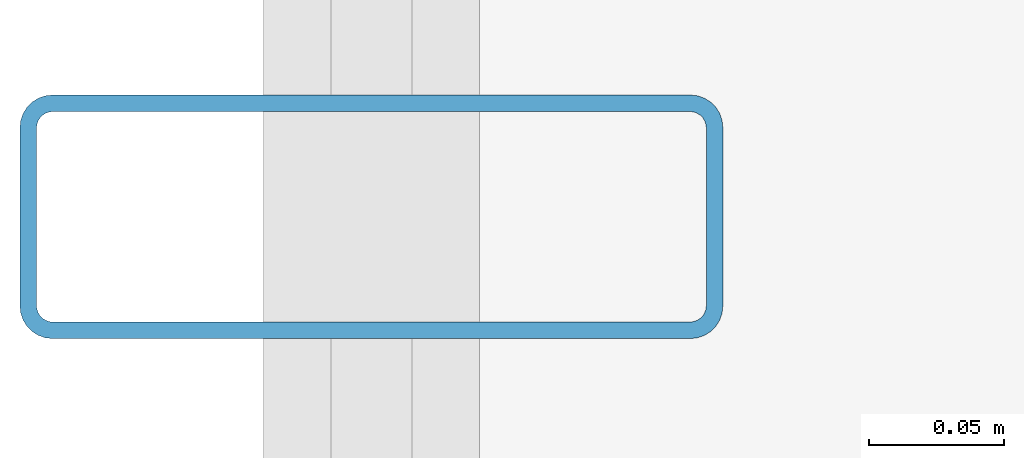
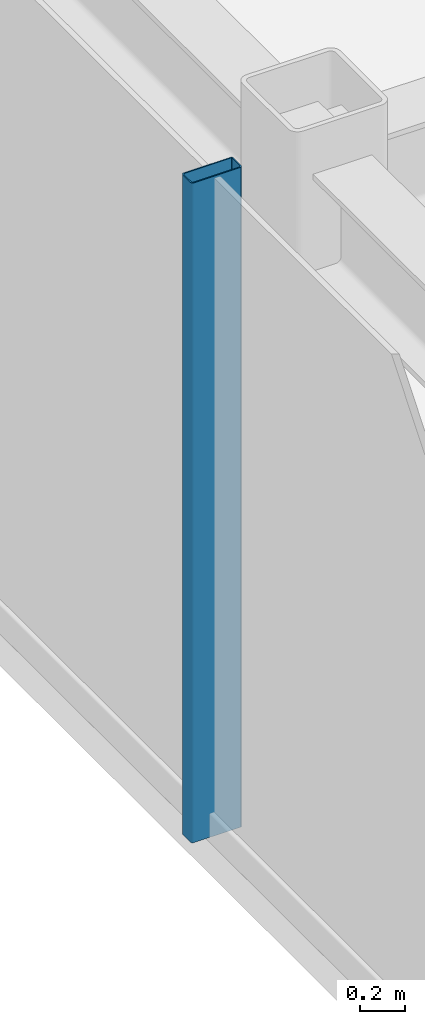
# One storey, part 4 of 18: 1 member, 1 element without a shape of its own.
"""IFC4 building model written with IfcOpenShell, lengths in metres."""

from ifc_helpers import new_model, si_unit, direction, frame, origin, origin_2d, place, context, subcontext, project, spatial, hollow_rectangle, extrude, source, transform, mapped, material, layer, layer_set, material_profile, profile_set, type_object, element, aggregate, save


model = new_model("IFC4")

# Units and contexts
model_context = context("Model", 3, precision=1e-05, world=origin(), true_north=direction((0.0, 1.0)))
body_context = subcontext(model_context, "Body", "Model", "MODEL_VIEW")
ifc_project = project(units=[si_unit("LENGTHUNIT", "METRE"), si_unit("AREAUNIT", "SQUARE_METRE"), si_unit("VOLUMEUNIT", "CUBIC_METRE"), si_unit("PLANEANGLEUNIT", "RADIAN"), si_unit("MASSUNIT", "GRAM", prefix="KILO")], contexts=[model_context])

# Site, building, storey
site_placement = place(None, origin())
site = spatial("IfcSite", under=ifc_project, at=site_placement, CompositionType="ELEMENT")
building_placement = place(site_placement, origin())
building = spatial("IfcBuilding", under=site, at=building_placement, Name="Nefas-Gora Pilgrimage Tower", CompositionType="ELEMENT")
storey_placement = place(building_placement, frame((0.0, 0.0, 330.0)))
storey = spatial("IfcBuildingStorey", under=building, at=storey_placement, Name="L83", CompositionType="ELEMENT", Elevation=330.0)

# Curtain wall, member
ifc_material_1 = material(Name="Dark ceramic-fritted solar-control aluminium-glass curtain wall", Category="aluminium")
ifc_layer = layer(ifc_material_1, 0.219970703125)
ifc_layer_set = layer_set([ifc_layer], Name="Dark ceramic-fritted solar-control aluminium-glass curtain wall")
curtain_wall_type = type_object("IfcCurtainWallType", Name="CW-SYS-4", PredefinedType="NOTDEFINED", material=ifc_layer_set)
curtain_wall_placement = place(storey_placement, origin())
curtain_wall = element("IfcCurtainWall", 1, at=curtain_wall_placement, inside=storey, type_object=curtain_wall_type, Name="L83 Unitised Curtain Wall CW4", PredefinedType="NOTDEFINED")
ifc_material_2 = material(Name="Anodised architectural aluminium", Category="aluminium")
ifc_material_profile = material_profile(ifc_material_2, hollow_rectangle(XDim=0.090087890625, YDim=0.260009765625, WallThickness=0.006103515625, InnerFilletRadius=0.006103515625, OuterFilletRadius=0.011962890625, at=origin_2d()), Name="ALU MULLION 90x260")
ifc_profile_set = profile_set([ifc_material_profile], Name="Anodised architectural aluminium")
member_type = type_object("IfcMemberType", Name="CWM-MUL-4", PredefinedType="MULLION", material=ifc_profile_set)
shared_shape = source(origin(), body_context, "Body", "SweptSolid", [
    extrude(hollow_rectangle(XDim=0.090087890625, YDim=0.260009765625, WallThickness=0.006103515625, InnerFilletRadius=0.006103515625, OuterFilletRadius=0.011962890625, at=origin_2d()), origin(), (0.0, 0.0, 1.0), 3.550048828125),
])
member_placement = place(storey_placement, frame((-25.27001953125, 0.0, 0.0), z_axis=(0.0, 0.0, 1.0), x_axis=(0.0, -1.0, 0.0)))
member = element("IfcMember", 2, at=member_placement, type_object=member_type, Name="CW4 Mullion 2", PredefinedType="MULLION", context=body_context, shape_type="MappedRepresentation", body=[
    mapped(shared_shape, transform((0.0, 0.0, 0.0), x_axis=(1.0, 0.0, 0.0), y_axis=(0.0, 1.0, 0.0), z_axis=(0.0, 0.0, 1.0), scale=1.0)),
])
aggregate(curtain_wall, [member])

save(model, "model.ifc")
